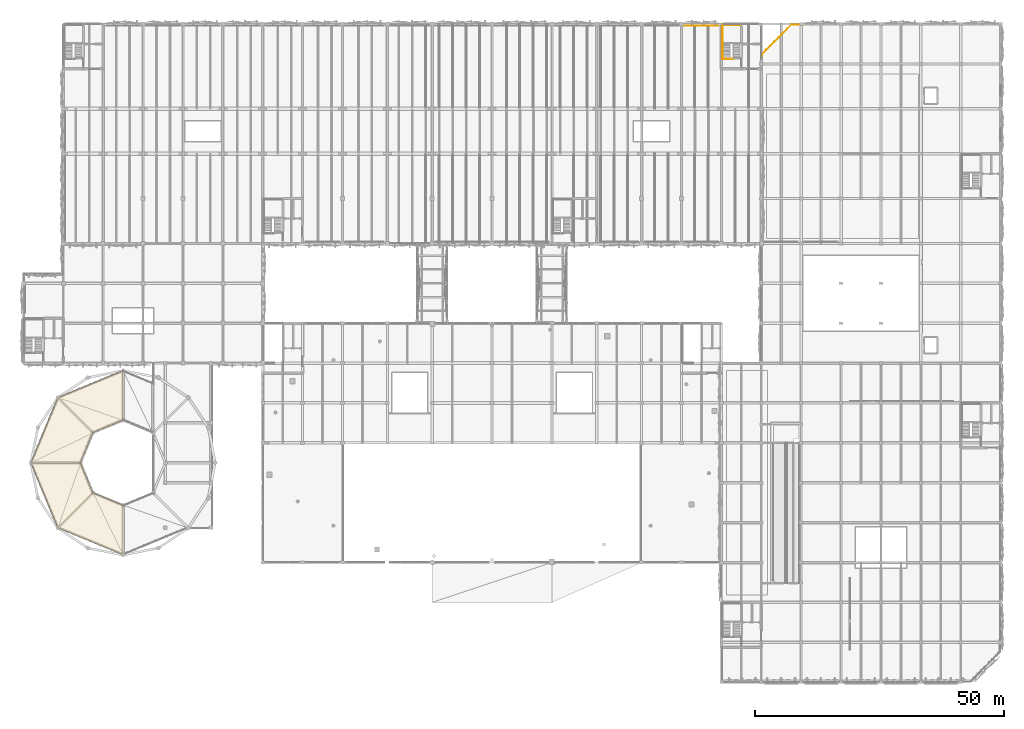
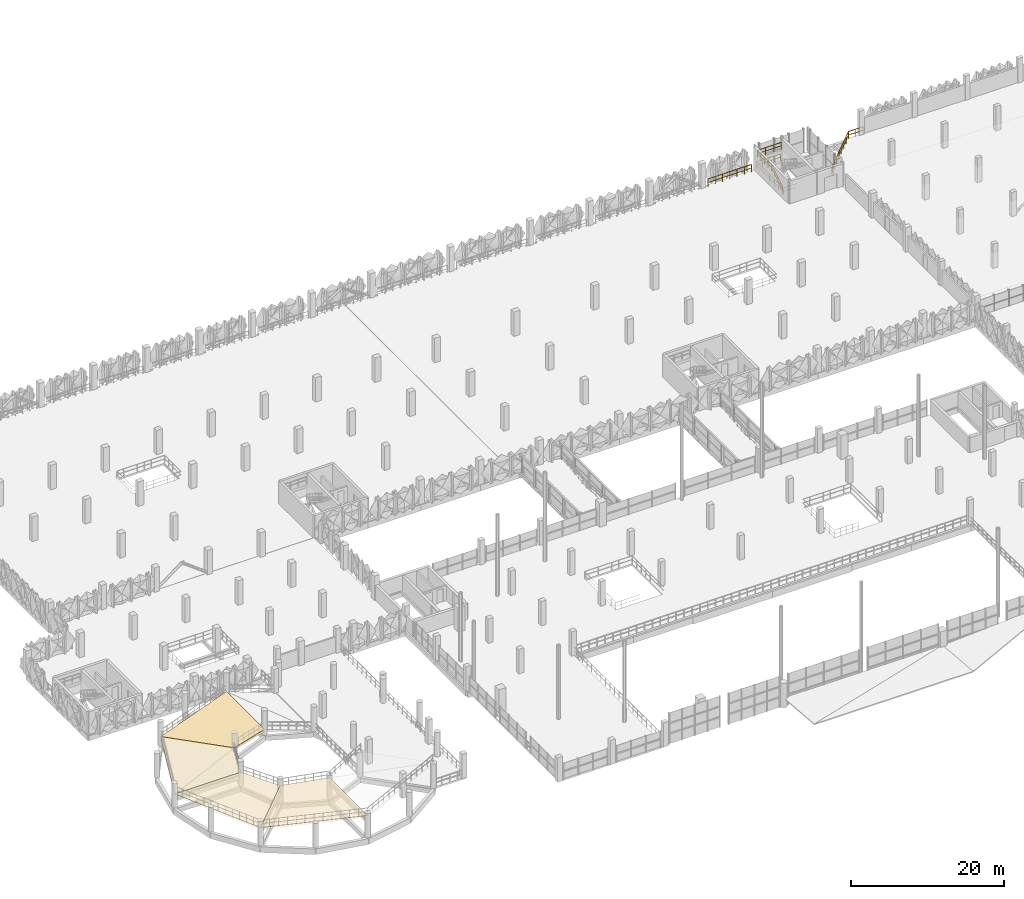
# One storey, part 123 of 123: 4 coverings, 4 railings.
"""IFC4 building model written with IfcOpenShell, lengths in metres."""

from ifc_helpers import new_model, si_unit, derived_unit, direction, frame, origin, origin_2d, place, context, subcontext, project, spatial, circle, extrude, polygons, material, layer, layer_set, type_object, element, save


model = new_model("IFC4")

# Units and contexts
model_context = context("Model", 3, precision=1e-05, world=origin(), true_north=direction((0.0, 1.0)))
body_context = subcontext(model_context, "Body", "Model", "MODEL_VIEW")
ifc_project = project(units=[si_unit("LENGTHUNIT", "METRE"), si_unit("AREAUNIT", "SQUARE_METRE"), si_unit("VOLUMEUNIT", "CUBIC_METRE"), si_unit("PLANEANGLEUNIT", "RADIAN"), si_unit("MASSUNIT", "GRAM", prefix="KILO"), si_unit("THERMODYNAMICTEMPERATUREUNIT", "KELVIN"), derived_unit("THERMALTRANSMITTANCEUNIT", [(si_unit("POWERUNIT", "WATT"), 1), (si_unit("AREAUNIT", "SQUARE_METRE"), -1), (si_unit("THERMODYNAMICTEMPERATUREUNIT", "KELVIN"), -1)])], contexts=[model_context])

# Site, building, storey
site_placement = place(None, origin())
site = spatial("IfcSite", under=ifc_project, at=site_placement, CompositionType="ELEMENT")
building_placement = place(site_placement, origin())
building = spatial("IfcBuilding", under=site, at=building_placement, Name="Haiyu Intermodal Mobility Hub", CompositionType="ELEMENT")
storey_placement = place(building_placement, frame((0.0, 0.0, 5.60009765625)))
storey = spatial("IfcBuildingStorey", under=building, at=storey_placement, Name="L01", CompositionType="ELEMENT", Elevation=5.60009765625)

# Coverings
ifc_material_1 = material(Name="Acrylic sports court surfacing")
ifc_layer = layer(ifc_material_1, 0.030029296875)
ifc_layer_set = layer_set([ifc_layer], Name="Acrylic sports court surfacing")
covering_type = type_object("IfcCoveringType", Name="COV-CV07", PredefinedType="FLOORING", material=ifc_layer_set)
covering_1_placement = place(storey_placement, origin())
element("IfcCovering", 1, at=covering_1_placement, inside=storey, type_object=covering_type, Name="COV-RMP-VEH-L01-02", PredefinedType="FLOORING", context=body_context, shape_type="Tessellation", body=[
    polygons([(34.0, 68.5, 0.64990234375), (34.0, 78.5, 0.64990234375), (20.9189453125, 73.0810546875, 1.2998046875), (27.989990234375, 66.010009765625, 1.2998046875), (34.0, 68.5, 0.69482421875), (34.0, 78.5, 0.69482421875), (20.9189453125, 73.0810546875, 1.344970703125), (27.989990234375, 66.010009765625, 1.344970703125)], [[[4, 3, 2, 1]], [[5, 6, 7, 8]], [[1, 2, 6, 5]], [[2, 3, 7, 6]], [[3, 4, 8, 7]], [[4, 1, 5, 8]]], closed=True),
])
covering_2_placement = place(storey_placement, origin())
element("IfcCovering", 2, at=covering_2_placement, inside=storey, type_object=covering_type, Name="COV-RMP-VEH-L01-03", PredefinedType="FLOORING", context=body_context, shape_type="Tessellation", body=[
    polygons([(27.989990234375, 66.010009765625, 1.2998046875), (20.9189453125, 73.0810546875, 1.2998046875), (15.5, 60.0, 1.949951171875), (25.5, 60.0, 1.949951171875), (27.989990234375, 66.010009765625, 1.344970703125), (20.9189453125, 73.0810546875, 1.344970703125), (15.5, 60.0, 1.994873046875), (25.5, 60.0, 1.994873046875)], [[[4, 3, 2, 1]], [[5, 6, 7, 8]], [[1, 2, 6, 5]], [[2, 3, 7, 6]], [[3, 4, 8, 7]], [[4, 1, 5, 8]]], closed=True),
])
covering_3_placement = place(storey_placement, origin())
element("IfcCovering", 3, at=covering_3_placement, inside=storey, type_object=covering_type, Name="COV-RMP-VEH-L01-04", PredefinedType="FLOORING", context=body_context, shape_type="Tessellation", body=[
    polygons([(25.5, 60.0, 1.949951171875), (15.5, 60.0, 1.949951171875), (20.9189453125, 46.9189453125, 2.599853515625), (27.989990234375, 53.989990234375, 2.599853515625), (25.5, 60.0, 1.994873046875), (15.5, 60.0, 1.994873046875), (20.9189453125, 46.9189453125, 2.64501953125), (27.989990234375, 53.989990234375, 2.64501953125)], [[[4, 3, 2, 1]], [[5, 6, 7, 8]], [[1, 2, 6, 5]], [[2, 3, 7, 6]], [[3, 4, 8, 7]], [[4, 1, 5, 8]]], closed=True),
])
covering_4_placement = place(storey_placement, origin())
element("IfcCovering", 4, at=covering_4_placement, inside=storey, type_object=covering_type, Name="COV-RMP-VEH-L01-05", PredefinedType="FLOORING", context=body_context, shape_type="Tessellation", body=[
    polygons([(27.989990234375, 53.989990234375, 2.599853515625), (20.9189453125, 46.9189453125, 2.599853515625), (34.0, 41.5, 3.25), (34.0, 51.5, 3.25), (27.989990234375, 53.989990234375, 2.64501953125), (20.9189453125, 46.9189453125, 2.64501953125), (34.0, 41.5, 3.294921875), (34.0, 51.5, 3.294921875)], [[[4, 3, 2, 1]], [[5, 6, 7, 8]], [[1, 2, 6, 5]], [[2, 3, 7, 6]], [[3, 4, 8, 7]], [[4, 1, 5, 8]]], closed=True),
])

# Railings
ifc_material_2 = material(Name="Steel Q355C", Category="steel")
railing_type_1 = type_object("IfcRailingType", Name="RAL-GR01", PredefinedType="GUARDRAIL", material=ifc_material_2)
railing_1_placement = place(storey_placement, frame((153.300048828125, 147.659912109375, 0.0)))
element("IfcRailing", 5, at=railing_1_placement, inside=storey, type_object=railing_type_1, Name="RAL-CAR-N-0077", PredefinedType="GUARDRAIL", context=body_context, shape_type="SweptSolid", body=[
    extrude(circle(Radius=0.02392578125, at=origin_2d()), frame((-0.030029296875, 0.0, 1.17578125), z_axis=(-1.0, 0.0, 0.0), x_axis=(0.0, -1.0, 0.0)), (0.0, 0.0, 1.0), 6.5400390625),
    extrude(circle(Radius=0.02392578125, at=origin_2d()), frame((-0.037353515625, 0.0, 0.60009765625), z_axis=(-1.0, 0.0, 0.0), x_axis=(0.0, -1.0, 0.0)), (0.0, 0.0, 1.0), 1.025390625),
    extrude(circle(Radius=0.02392578125, at=origin_2d()), frame((-1.13720703125, 0.0, 0.60009765625), z_axis=(-1.0, 0.0, 0.0), x_axis=(0.0, -1.0, 0.0)), (0.0, 0.0, 1.0), 1.025390625),
    extrude(circle(Radius=0.02392578125, at=origin_2d()), frame((-2.2373046875, 0.0, 0.60009765625), z_axis=(-1.0, 0.0, 0.0), x_axis=(0.0, -1.0, 0.0)), (0.0, 0.0, 1.0), 1.025390625),
    extrude(circle(Radius=0.02392578125, at=origin_2d()), frame((-3.33740234375, 0.0, 0.60009765625), z_axis=(-1.0, 0.0, 0.0), x_axis=(0.0, -1.0, 0.0)), (0.0, 0.0, 1.0), 1.025390625),
    extrude(circle(Radius=0.02392578125, at=origin_2d()), frame((-4.437255859375, 0.0, 0.60009765625), z_axis=(-1.0, 0.0, 0.0), x_axis=(0.0, -1.0, 0.0)), (0.0, 0.0, 1.0), 1.025390625),
    extrude(circle(Radius=0.02392578125, at=origin_2d()), frame((-5.537353515625, 0.0, 0.60009765625), z_axis=(-1.0, 0.0, 0.0), x_axis=(0.0, -1.0, 0.0)), (0.0, 0.0, 1.0), 1.025390625),
    extrude(circle(Radius=0.02099609375, at=origin_2d()), origin(), (0.0, 0.0, 1.0), 1.143798828125),
    extrude(circle(Radius=0.02099609375, at=origin_2d()), frame((-1.10009765625, 0.0, 0.0)), (0.0, 0.0, 1.0), 1.143798828125),
    extrude(circle(Radius=0.02099609375, at=origin_2d()), frame((-2.199951171875, 0.0, 0.0)), (0.0, 0.0, 1.0), 1.143798828125),
    extrude(circle(Radius=0.02099609375, at=origin_2d()), frame((-3.300048828125, 0.0, 0.0)), (0.0, 0.0, 1.0), 1.143798828125),
    extrude(circle(Radius=0.02099609375, at=origin_2d()), frame((-4.400146484375, 0.0, 0.0)), (0.0, 0.0, 1.0), 1.143798828125),
    extrude(circle(Radius=0.02099609375, at=origin_2d()), frame((-5.5, 0.0, 0.0)), (0.0, 0.0, 1.0), 1.143798828125),
    extrude(circle(Radius=0.02099609375, at=origin_2d()), frame((-6.60009765625, 0.0, 0.0)), (0.0, 0.0, 1.0), 1.143798828125),
])
railing_type_2 = type_object("IfcRailingType", Name="RAL-GR03", PredefinedType="GUARDRAIL", material=ifc_material_2)
railing_2_placement = place(storey_placement, frame((162.139892578125, 141.60009765625, 0.0)))
element("IfcRailing", 6, at=railing_2_placement, inside=storey, type_object=railing_type_2, Name="RAL-V6CH-L01", PredefinedType="GUARDRAIL", context=body_context, shape_type="SweptSolid", body=[
    extrude(circle(Radius=0.02392578125, at=origin_2d()), frame((0.0, 0.030029296875, 1.1259765625), z_axis=(0.0, 1.0, 0.0), x_axis=(-1.0, 0.0, 0.0)), (0.0, 0.0, 1.0), 0.289794921875),
    extrude(circle(Radius=0.02392578125, at=origin_2d()), frame((0.0, 0.037353515625, 0.574951171875), z_axis=(0.0, 1.0, 0.0), x_axis=(-1.0, 0.0, 0.0)), (0.0, 0.0, 1.0), 0.275146484375),
    extrude(circle(Radius=0.02392578125, at=origin_2d()), frame((0.021240234375, 0.37109375, 1.1259765625), z_axis=(0.705924782292, 0.708286807547, 0.0), x_axis=(-0.708286807547, 0.705924782292, 0.0)), (0.0, 0.0, 1.0), 8.312255859375),
    extrude(circle(Radius=0.02392578125, at=origin_2d()), frame((0.0263671875, 0.376220703125, 0.574951171875), z_axis=(0.705924782292, 0.708286807547, 0.0), x_axis=(-0.708286807547, 0.705924782292, 0.0)), (0.0, 0.0, 1.0), 1.121337890625),
    extrude(circle(Radius=0.02392578125, at=origin_2d()), frame((0.87060546875, 1.223388671875, 0.574951171875), z_axis=(0.705924782292, 0.708286807547, 0.0), x_axis=(-0.708286807547, 0.705924782292, 0.0)), (0.0, 0.0, 1.0), 1.121337890625),
    extrude(circle(Radius=0.02392578125, at=origin_2d()), frame((1.71484375, 2.070556640625, 0.574951171875), z_axis=(0.705924782292, 0.708286807547, 0.0), x_axis=(-0.708286807547, 0.705924782292, 0.0)), (0.0, 0.0, 1.0), 1.121337890625),
    extrude(circle(Radius=0.02392578125, at=origin_2d()), frame((2.559326171875, 2.917724609375, 0.574951171875), z_axis=(0.705924782292, 0.708286807547, 0.0), x_axis=(-0.708286807547, 0.705924782292, 0.0)), (0.0, 0.0, 1.0), 1.121337890625),
    extrude(circle(Radius=0.02392578125, at=origin_2d()), frame((3.403564453125, 3.764892578125, 0.574951171875), z_axis=(0.705924782292, 0.708286807547, 0.0), x_axis=(-0.708286807547, 0.705924782292, 0.0)), (0.0, 0.0, 1.0), 1.121337890625),
    extrude(circle(Radius=0.02392578125, at=origin_2d()), frame((4.247802734375, 4.61181640625, 0.574951171875), z_axis=(0.705924782292, 0.708286807547, 0.0), x_axis=(-0.708286807547, 0.705924782292, 0.0)), (0.0, 0.0, 1.0), 1.121337890625),
    extrude(circle(Radius=0.02392578125, at=origin_2d()), frame((5.09228515625, 5.458984375, 0.574951171875), z_axis=(0.705924782292, 0.708286807547, 0.0), x_axis=(-0.708286807547, 0.705924782292, 0.0)), (0.0, 0.0, 1.0), 1.121337890625),
    extrude(circle(Radius=0.02392578125, at=origin_2d()), frame((5.940185546875, 6.27978515625, 1.1259765625), z_axis=(1.0, 0.0, 0.0), x_axis=(0.0, 1.0, 0.0)), (0.0, 0.0, 1.0), 2.18994140625),
    extrude(circle(Radius=0.02392578125, at=origin_2d()), frame((5.947509765625, 6.27978515625, 0.574951171875), z_axis=(1.0, 0.0, 0.0), x_axis=(0.0, 1.0, 0.0)), (0.0, 0.0, 1.0), 1.05029296875),
    extrude(circle(Radius=0.02392578125, at=origin_2d()), frame((7.072509765625, 6.27978515625, 0.574951171875), z_axis=(1.0, 0.0, 0.0), x_axis=(0.0, 1.0, 0.0)), (0.0, 0.0, 1.0), 1.05029296875),
    extrude(circle(Radius=0.02099609375, at=origin_2d()), origin(), (0.0, 0.0, 1.0), 1.09375),
    extrude(circle(Radius=0.02099609375, at=origin_2d()), frame((0.0, 0.349853515625, 0.0)), (0.0, 0.0, 1.0), 1.09375),
    extrude(circle(Radius=0.02099609375, at=origin_2d()), frame((0.84423828125, 1.197021484375, 0.0)), (0.0, 0.0, 1.0), 1.09375),
    extrude(circle(Radius=0.02099609375, at=origin_2d()), frame((1.688720703125, 2.044189453125, 0.0)), (0.0, 0.0, 1.0), 1.09375),
    extrude(circle(Radius=0.02099609375, at=origin_2d()), frame((2.532958984375, 2.891357421875, 0.0)), (0.0, 0.0, 1.0), 1.09375),
    extrude(circle(Radius=0.02099609375, at=origin_2d()), frame((3.377197265625, 3.73828125, 0.0)), (0.0, 0.0, 1.0), 1.09375),
    extrude(circle(Radius=0.02099609375, at=origin_2d()), frame((4.221435546875, 4.58544921875, 0.0)), (0.0, 0.0, 1.0), 1.09375),
    extrude(circle(Radius=0.02099609375, at=origin_2d()), frame((5.06591796875, 5.4326171875, 0.0)), (0.0, 0.0, 1.0), 1.09375),
    extrude(circle(Radius=0.02099609375, at=origin_2d()), frame((5.91015625, 6.27978515625, 0.0)), (0.0, 0.0, 1.0), 1.09375),
    extrude(circle(Radius=0.02099609375, at=origin_2d()), frame((7.03515625, 6.27978515625, 0.0)), (0.0, 0.0, 1.0), 1.09375),
    extrude(circle(Radius=0.02099609375, at=origin_2d()), frame((8.16015625, 6.27978515625, 0.0)), (0.0, 0.0, 1.0), 1.09375),
])
railing_3_placement = place(storey_placement, frame((156.31005859375, 141.010009765625, 0.0)))
element("IfcRailing", 7, at=railing_3_placement, inside=storey, type_object=railing_type_2, Name="Stair Shaft Floor Guard STR-C4-L00", PredefinedType="GUARDRAIL", context=body_context, shape_type="SweptSolid", body=[
    extrude(circle(Radius=0.02392578125, at=origin_2d()), frame((-0.030029296875, 0.0, 1.09619140625), z_axis=(-1.0, 0.0, 0.0), x_axis=(0.0, -1.0, 0.0)), (0.0, 0.0, 1.0), 2.030029296875),
    extrude(circle(Radius=0.02392578125, at=origin_2d()), frame((-0.037353515625, 0.0, 0.56005859375), z_axis=(-1.0, 0.0, 0.0), x_axis=(0.0, -1.0, 0.0)), (0.0, 0.0, 1.0), 0.970458984375),
    extrude(circle(Radius=0.02392578125, at=origin_2d()), frame((-1.082275390625, 0.0, 0.56005859375), z_axis=(-1.0, 0.0, 0.0), x_axis=(0.0, -1.0, 0.0)), (0.0, 0.0, 1.0), 0.970458984375),
    extrude(circle(Radius=0.02392578125, at=origin_2d()), frame((-2.090087890625, 0.030029296875, 1.09619140625), z_axis=(0.0, 1.0, 0.0), x_axis=(-1.0, 0.0, 0.0)), (0.0, 0.0, 1.0), 6.8798828125),
    extrude(circle(Radius=0.02392578125, at=origin_2d()), frame((-2.090087890625, 0.037353515625, 0.56005859375), z_axis=(0.0, 1.0, 0.0), x_axis=(-1.0, 0.0, 0.0)), (0.0, 0.0, 1.0), 1.08203125),
    extrude(circle(Radius=0.02392578125, at=origin_2d()), frame((-2.090087890625, 1.19384765625, 0.56005859375), z_axis=(0.0, 1.0, 0.0), x_axis=(-1.0, 0.0, 0.0)), (0.0, 0.0, 1.0), 1.08203125),
    extrude(circle(Radius=0.02392578125, at=origin_2d()), frame((-2.090087890625, 2.3505859375, 0.56005859375), z_axis=(0.0, 1.0, 0.0), x_axis=(-1.0, 0.0, 0.0)), (0.0, 0.0, 1.0), 1.08203125),
    extrude(circle(Radius=0.02392578125, at=origin_2d()), frame((-2.090087890625, 3.50732421875, 0.56005859375), z_axis=(0.0, 1.0, 0.0), x_axis=(-1.0, 0.0, 0.0)), (0.0, 0.0, 1.0), 1.08203125),
    extrude(circle(Radius=0.02392578125, at=origin_2d()), frame((-2.090087890625, 4.663818359375, 0.56005859375), z_axis=(0.0, 1.0, 0.0), x_axis=(-1.0, 0.0, 0.0)), (0.0, 0.0, 1.0), 1.08203125),
    extrude(circle(Radius=0.02392578125, at=origin_2d()), frame((-2.090087890625, 5.820556640625, 0.56005859375), z_axis=(0.0, 1.0, 0.0), x_axis=(-1.0, 0.0, 0.0)), (0.0, 0.0, 1.0), 1.08203125),
    extrude(circle(Radius=0.02392578125, at=origin_2d()), frame((-2.06005859375, 6.93994140625, 1.09619140625), z_axis=(1.0, 0.0, 0.0), x_axis=(0.0, 1.0, 0.0)), (0.0, 0.0, 1.0), 3.590087890625),
    extrude(circle(Radius=0.02392578125, at=origin_2d()), frame((-2.052734375, 6.93994140625, 0.56005859375), z_axis=(1.0, 0.0, 0.0), x_axis=(0.0, 1.0, 0.0)), (0.0, 0.0, 1.0), 0.837890625),
    extrude(circle(Radius=0.02392578125, at=origin_2d()), frame((-1.14013671875, 6.93994140625, 0.56005859375), z_axis=(1.0, 0.0, 0.0), x_axis=(0.0, 1.0, 0.0)), (0.0, 0.0, 1.0), 0.837890625),
    extrude(circle(Radius=0.02392578125, at=origin_2d()), frame((-0.227783203125, 6.93994140625, 0.56005859375), z_axis=(1.0, 0.0, 0.0), x_axis=(0.0, 1.0, 0.0)), (0.0, 0.0, 1.0), 0.837890625),
    extrude(circle(Radius=0.02392578125, at=origin_2d()), frame((0.684814453125, 6.93994140625, 0.56005859375), z_axis=(1.0, 0.0, 0.0), x_axis=(0.0, 1.0, 0.0)), (0.0, 0.0, 1.0), 0.837890625),
    extrude(circle(Radius=0.02099609375, at=origin_2d()), origin(), (0.0, 0.0, 1.0), 1.06396484375),
    extrude(circle(Radius=0.02099609375, at=origin_2d()), frame((-1.044921875, 0.0, 0.0)), (0.0, 0.0, 1.0), 1.06396484375),
    extrude(circle(Radius=0.02099609375, at=origin_2d()), frame((-2.090087890625, 0.0, 0.0)), (0.0, 0.0, 1.0), 1.06396484375),
    extrude(circle(Radius=0.02099609375, at=origin_2d()), frame((-2.090087890625, 1.15673828125, 0.0)), (0.0, 0.0, 1.0), 1.06396484375),
    extrude(circle(Radius=0.02099609375, at=origin_2d()), frame((-2.090087890625, 2.313232421875, 0.0)), (0.0, 0.0, 1.0), 1.06396484375),
    extrude(circle(Radius=0.02099609375, at=origin_2d()), frame((-2.090087890625, 3.469970703125, 0.0)), (0.0, 0.0, 1.0), 1.06396484375),
    extrude(circle(Radius=0.02099609375, at=origin_2d()), frame((-2.090087890625, 4.626708984375, 0.0)), (0.0, 0.0, 1.0), 1.06396484375),
    extrude(circle(Radius=0.02099609375, at=origin_2d()), frame((-2.090087890625, 5.783203125, 0.0)), (0.0, 0.0, 1.0), 1.06396484375),
    extrude(circle(Radius=0.02099609375, at=origin_2d()), frame((-2.090087890625, 6.93994140625, 0.0)), (0.0, 0.0, 1.0), 1.06396484375),
    extrude(circle(Radius=0.02099609375, at=origin_2d()), frame((-1.177490234375, 6.93994140625, 0.0)), (0.0, 0.0, 1.0), 1.06396484375),
    extrude(circle(Radius=0.02099609375, at=origin_2d()), frame((-0.26513671875, 6.93994140625, 0.0)), (0.0, 0.0, 1.0), 1.06396484375),
    extrude(circle(Radius=0.02099609375, at=origin_2d()), frame((0.6474609375, 6.93994140625, 0.0)), (0.0, 0.0, 1.0), 1.06396484375),
    extrude(circle(Radius=0.02099609375, at=origin_2d()), frame((1.56005859375, 6.93994140625, 0.0)), (0.0, 0.0, 1.0), 1.06396484375),
])
railing_4_placement = place(storey_placement, frame((154.25, 141.050048828125, 0.0)))
element("IfcRailing", 8, at=railing_4_placement, inside=storey, type_object=railing_type_2, Name="Stair Outer Guard STR-C4-L01", PredefinedType="GUARDRAIL", context=body_context, shape_type="SweptSolid", body=[
    extrude(circle(Radius=0.02392578125, at=origin_2d()), frame((0.0, 0.025390625, 1.112060546875), z_axis=(0.0, 0.844894753029, 0.534932571736), x_axis=(-1.0, 0.0, 0.0)), (0.0, 0.0, 1.0), 3.585205078125),
    extrude(circle(Radius=0.02392578125, at=origin_2d()), frame((0.0, 0.031494140625, 0.580078125), z_axis=(0.0, 0.844894753029, 0.534932571736), x_axis=(-1.0, 0.0, 0.0)), (0.0, 0.0, 1.0), 0.836669921875),
    extrude(circle(Radius=0.02392578125, at=origin_2d()), frame((0.0, 0.801513671875, 1.0673828125), z_axis=(0.0, 0.844894753029, 0.534932571736), x_axis=(-1.0, 0.0, 0.0)), (0.0, 0.0, 1.0), 0.836669921875),
    extrude(circle(Radius=0.02392578125, at=origin_2d()), frame((0.0, 1.571533203125, 1.554931640625), z_axis=(0.0, 0.844894753029, 0.534932571736), x_axis=(-1.0, 0.0, 0.0)), (0.0, 0.0, 1.0), 0.836669921875),
    extrude(circle(Radius=0.02392578125, at=origin_2d()), frame((0.0, 2.34130859375, 2.04248046875), z_axis=(0.0, 0.844894753029, 0.534932571736), x_axis=(-1.0, 0.0, 0.0)), (0.0, 0.0, 1.0), 0.836669921875),
    extrude(circle(Radius=0.02392578125, at=origin_2d()), frame((0.0, 3.10986328125, 3.0458984375), z_axis=(0.0, 1.0, 0.0), x_axis=(-1.0, 0.0, 0.0)), (0.0, 0.0, 1.0), 3.570068359375),
    extrude(circle(Radius=0.02392578125, at=origin_2d()), frame((0.0, 3.1171875, 2.510009765625), z_axis=(0.0, 1.0, 0.0), x_axis=(-1.0, 0.0, 0.0)), (0.0, 0.0, 1.0), 0.8330078125),
    extrude(circle(Radius=0.02392578125, at=origin_2d()), frame((0.0, 4.024658203125, 2.510009765625), z_axis=(0.0, 1.0, 0.0), x_axis=(-1.0, 0.0, 0.0)), (0.0, 0.0, 1.0), 0.8330078125),
    extrude(circle(Radius=0.02392578125, at=origin_2d()), frame((0.0, 4.93212890625, 2.510009765625), z_axis=(0.0, 1.0, 0.0), x_axis=(-1.0, 0.0, 0.0)), (0.0, 0.0, 1.0), 0.8330078125),
    extrude(circle(Radius=0.02392578125, at=origin_2d()), frame((0.0, 5.83984375, 2.510009765625), z_axis=(0.0, 1.0, 0.0), x_axis=(-1.0, 0.0, 0.0)), (0.0, 0.0, 1.0), 0.8330078125),
    extrude(circle(Radius=0.02392578125, at=origin_2d()), frame((0.030029296875, 6.7099609375, 3.0458984375), z_axis=(1.0, 0.0, 0.0), x_axis=(0.0, 1.0, 0.0)), (0.0, 0.0, 1.0), 3.52001953125),
    extrude(circle(Radius=0.02392578125, at=origin_2d()), frame((0.037353515625, 6.7099609375, 2.510009765625), z_axis=(1.0, 0.0, 0.0), x_axis=(0.0, 1.0, 0.0)), (0.0, 0.0, 1.0), 1.11865234375),
    extrude(circle(Radius=0.02392578125, at=origin_2d()), frame((1.230712890625, 6.7099609375, 2.510009765625), z_axis=(1.0, 0.0, 0.0), x_axis=(0.0, 1.0, 0.0)), (0.0, 0.0, 1.0), 1.11865234375),
    extrude(circle(Radius=0.02392578125, at=origin_2d()), frame((2.424072265625, 6.7099609375, 2.510009765625), z_axis=(1.0, 0.0, 0.0), x_axis=(0.0, 1.0, 0.0)), (0.0, 0.0, 1.0), 1.11865234375),
    extrude(circle(Radius=0.02099609375, at=origin_2d()), origin(), (0.0, 0.0, 1.0), 1.06396484375),
    extrude(circle(Radius=0.02099609375, at=origin_2d()), frame((0.0, 0.77001953125, 0.487548828125)), (0.0, 0.0, 1.0), 1.06396484375),
    extrude(circle(Radius=0.02099609375, at=origin_2d()), frame((0.0, 1.5400390625, 0.97509765625)), (0.0, 0.0, 1.0), 1.06396484375),
    extrude(circle(Radius=0.02099609375, at=origin_2d()), frame((0.0, 2.309814453125, 1.46240234375)), (0.0, 0.0, 1.0), 1.06396484375),
    extrude(circle(Radius=0.02099609375, at=origin_2d()), frame((0.0, 3.079833984375, 1.949951171875)), (0.0, 0.0, 1.0), 1.06396484375),
    extrude(circle(Radius=0.02099609375, at=origin_2d()), frame((0.0, 3.9873046875, 1.949951171875)), (0.0, 0.0, 1.0), 1.06396484375),
    extrude(circle(Radius=0.02099609375, at=origin_2d()), frame((0.0, 4.89501953125, 1.949951171875)), (0.0, 0.0, 1.0), 1.06396484375),
    extrude(circle(Radius=0.02099609375, at=origin_2d()), frame((0.0, 5.802490234375, 1.949951171875)), (0.0, 0.0, 1.0), 1.06396484375),
    extrude(circle(Radius=0.02099609375, at=origin_2d()), frame((0.0, 6.7099609375, 1.949951171875)), (0.0, 0.0, 1.0), 1.06396484375),
    extrude(circle(Radius=0.02099609375, at=origin_2d()), frame((1.193359375, 6.7099609375, 1.949951171875)), (0.0, 0.0, 1.0), 1.06396484375),
    extrude(circle(Radius=0.02099609375, at=origin_2d()), frame((2.38671875, 6.7099609375, 1.949951171875)), (0.0, 0.0, 1.0), 1.06396484375),
    extrude(circle(Radius=0.02099609375, at=origin_2d()), frame((3.580078125, 6.7099609375, 1.949951171875)), (0.0, 0.0, 1.0), 1.06396484375),
])

save(model, "model.ifc")
